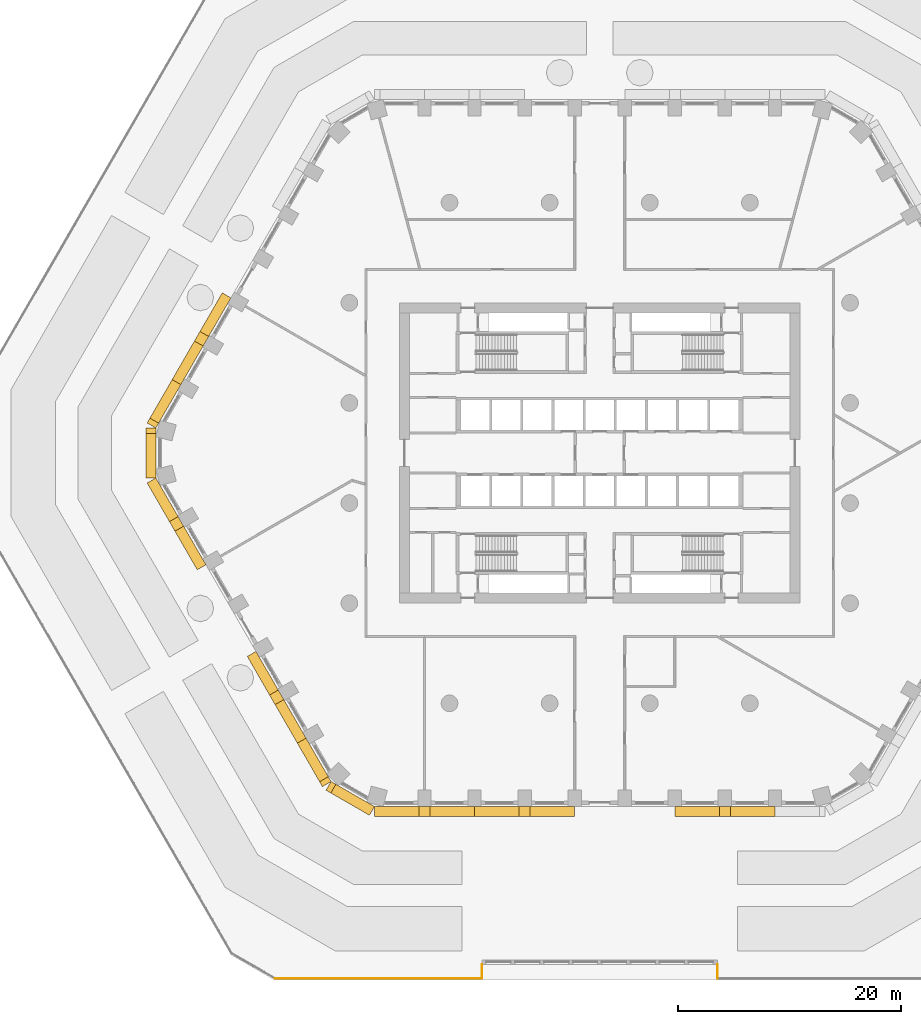
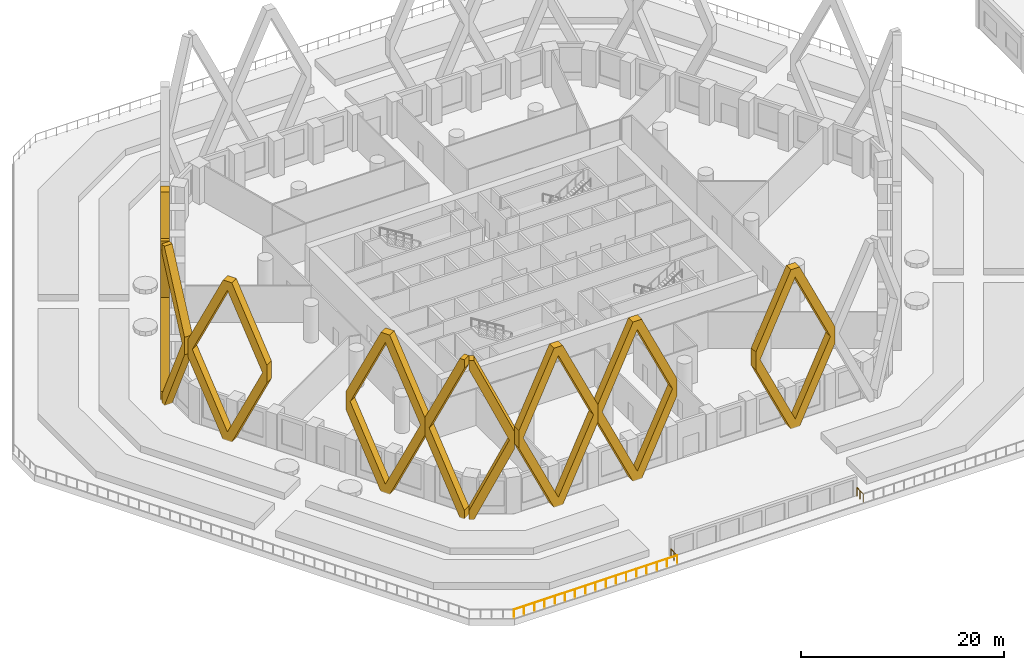
# One storey, part 18 of 27: 10 coverings, 3 railings.
"""IFC4 building model written with IfcOpenShell, lengths in metres."""

from ifc_helpers import new_model, si_unit, direction, frame, origin, origin_2d, place, context, subcontext, project, spatial, polyline, circle, outline, extrude, material, type_object, element, save


model = new_model("IFC4")

# Units and contexts
model_context = context("Model", 3, precision=1e-05, world=origin(), true_north=direction((0.0, 1.0)))
body_context = subcontext(model_context, "Body", "Model", "MODEL_VIEW")
ifc_project = project(units=[si_unit("LENGTHUNIT", "METRE"), si_unit("AREAUNIT", "SQUARE_METRE"), si_unit("VOLUMEUNIT", "CUBIC_METRE"), si_unit("PLANEANGLEUNIT", "RADIAN"), si_unit("MASSUNIT", "GRAM", prefix="KILO")], contexts=[model_context])

# Site, building, storey
site_placement = place(None, origin())
site = spatial("IfcSite", under=ifc_project, at=site_placement, CompositionType="ELEMENT")
building_placement = place(site_placement, origin())
building = spatial("IfcBuilding", under=site, at=building_placement, Name="Dhurran Vertical Campus", CompositionType="ELEMENT")
storey_placement = place(building_placement, frame((0.0, 0.0, 10.800048828125)))
storey = spatial("IfcBuildingStorey", under=building, at=storey_placement, Name="L02", CompositionType="ELEMENT", Elevation=10.800048828125)

# Coverings
ifc_material_1 = material(Name="Precast concrete C50/60", Category="concrete")
covering_type = type_object("IfcCoveringType", Name="Folded precast fin lattice diamond", PredefinedType="USERDEFINED", material=ifc_material_1)
for number, where, z_axis, x_axis, name in (
    (1, (-20.25, -31.77978515625, 0.0), (0.0, -1.0, 0.0), (1.0, 0.0, 0.0), "FN1 L02.001"),
    (2, (-11.25, -31.77978515625, 0.0), (0.0, -1.0, 0.0), (1.0, 0.0, 0.0), "FN1 L02.002"),
    (3, (6.75, -31.77978515625, 0.0), (0.0, -1.0, 0.0), (1.0, 0.0, 0.0), "FN1 L02.003"),
    (4, (-33.147216796875, 13.94140625, 0.0), (-0.866013897511, 0.50001992892, 0.0), (-0.50001992892, -0.866013897511, 0.0), "FN1 L02.020"),
):
    element("IfcCovering", number, at=place(storey_placement, frame(where, z_axis=z_axis, x_axis=x_axis)), inside=storey, type_object=covering_type, Name=name, ObjectType="FIN", PredefinedType="USERDEFINED", context=body_context, shape_type="SweptSolid", body=[
        extrude(outline(polyline([(9.0, 10.66015625), (9.0, 8.539794921875), (4.9970703125, 0.0), (4.0029296875, 0.0), (0.0, 8.539794921875), (0.0, 10.66015625), (4.0029296875, 19.199951171875), (4.9970703125, 19.199951171875), (9.0, 10.66015625)]), holes=[polyline([(8.5029296875, 9.60009765625), (4.5, 18.139892578125), (0.4970703125, 9.60009765625), (4.5, 1.060302734375), (8.5029296875, 9.60009765625)])]), origin(), (0.0, 0.0, 1.0), 0.89990234375),
    ])
covering_1_placement = place(storey_placement, frame((-37.647216796875, 6.147216796875, 0.0), z_axis=(-0.866013897511, 0.50001992892, 0.0), x_axis=(-0.50001992892, -0.866013897511, 0.0)))
element("IfcCovering", 5, at=covering_1_placement, inside=storey, type_object=covering_type, Name="FN1 L02.021", ObjectType="FIN", PredefinedType="USERDEFINED", context=body_context, shape_type="SweptSolid", body=[
    extrude(outline(polyline([(4.0029296875, 0.0), (0.0, 8.539794921875), (0.0, 10.66015625), (4.0029296875, 19.199951171875), (4.5, 19.199951171875), (4.5, 18.139892578125), (0.4970703125, 9.60009765625), (4.5, 1.060302734375), (4.5, 0.0), (4.0029296875, 0.0)])), origin(), (0.0, 0.0, 1.0), 0.89990234375),
])
covering_2_placement = place(storey_placement, frame((-39.897216796875, 2.25, 0.0), z_axis=(-1.0, 0.0, 0.0), x_axis=(0.0, -1.0, 0.0)))
element("IfcCovering", 6, at=covering_2_placement, inside=storey, type_object=covering_type, Name="FN1 L02.022", ObjectType="FIN", PredefinedType="USERDEFINED", context=body_context, shape_type="SweptSolid", body=[
    extrude(outline(polyline([(4.5, 8.539794921875), (0.4970703125, 0.0), (0.0, 0.0), (0.0, 1.060302734375), (4.0029296875, 9.60009765625), (0.0, 18.139892578125), (0.0, 19.199951171875), (0.4970703125, 19.199951171875), (4.5, 10.66015625), (4.5, 8.539794921875)])), origin(), (0.0, 0.0, 1.0), 0.89990234375),
])
for number, where, z_axis, x_axis, name in (
    (7, (-39.897216796875, -2.25, 0.0), (-0.866013897511, -0.50001992892, 0.0), (0.50001992892, -0.866013897511, 0.0), "FN1 L02.023"),
    (8, (-30.897216796875, -17.83837890625, 0.0), (-0.865896406789, -0.500223362819, 0.0), (0.500223362819, -0.865896406789, 0.0), "FN1 L02.024"),
):
    element("IfcCovering", number, at=place(storey_placement, frame(where, z_axis=z_axis, x_axis=x_axis)), inside=storey, type_object=covering_type, Name=name, ObjectType="FIN", PredefinedType="USERDEFINED", context=body_context, shape_type="SweptSolid", body=[
        extrude(outline(polyline([(9.0, 10.66015625), (9.0, 8.539794921875), (4.9970703125, 0.0), (4.0029296875, 0.0), (0.0, 8.539794921875), (0.0, 10.66015625), (4.0029296875, 19.199951171875), (4.9970703125, 19.199951171875), (9.0, 10.66015625)]), holes=[polyline([(8.5029296875, 9.60009765625), (4.5, 18.139892578125), (0.4970703125, 9.60009765625), (4.5, 1.060302734375), (8.5029296875, 9.60009765625)])]), origin(), (0.0, 0.0, 1.0), 0.89990234375),
    ])
covering_3_placement = place(storey_placement, frame((-26.397216796875, -25.6328125, 0.0), z_axis=(-0.866013897511, -0.50001992892, 0.0), x_axis=(0.50001992892, -0.866013897511, 0.0)))
element("IfcCovering", 9, at=covering_3_placement, inside=storey, type_object=covering_type, Name="FN1 L02.025", ObjectType="FIN", PredefinedType="USERDEFINED", context=body_context, shape_type="SweptSolid", body=[
    extrude(outline(polyline([(4.0029296875, 0.0), (0.0, 8.539794921875), (0.0, 10.66015625), (4.0029296875, 19.199951171875), (4.5, 19.199951171875), (4.5, 18.139892578125), (0.4970703125, 9.60009765625), (4.5, 1.060302734375), (4.5, 0.0), (4.0029296875, 0.0)])), origin(), (0.0, 0.0, 1.0), 0.89990234375),
])
covering_4_placement = place(storey_placement, frame((-24.147216796875, -29.52978515625, 0.0), z_axis=(-0.50001992892, -0.866013897511, 0.0), x_axis=(0.866013897511, -0.50001992892, 0.0)))
element("IfcCovering", 10, at=covering_4_placement, inside=storey, type_object=covering_type, Name="FN1 L02.026", ObjectType="FIN", PredefinedType="USERDEFINED", context=body_context, shape_type="SweptSolid", body=[
    extrude(outline(polyline([(4.5, 8.539794921875), (0.4970703125, 0.0), (0.0, 0.0), (0.0, 1.060302734375), (4.0029296875, 9.60009765625), (0.0, 18.139892578125), (0.0, 19.199951171875), (0.4970703125, 19.199951171875), (4.5, 10.66015625), (4.5, 8.539794921875)])), origin(), (0.0, 0.0, 1.0), 0.89990234375),
])

# Railings
ifc_material_2 = material(Name="Steel S355J2H", Category="steel")
railing_type = type_object("IfcRailingType", Name="st-guard 1100", PredefinedType="GUARDRAIL", material=ifc_material_2)
railing_placement = place(storey_placement, frame((-10.60009765625, -47.21826171875, 0.0)))
element("IfcRailing", 11, at=railing_placement, inside=storey, type_object=railing_type, Name="Raised garden guard 02", PredefinedType="GUARDRAIL", context=body_context, shape_type="SweptSolid", body=[
    extrude(circle(Radius=0.02392578125, at=origin_2d()), frame((0.0, 0.0, 1.076171875), z_axis=(-1.0, 0.0, 0.0), x_axis=(0.0, -1.0, 0.0)), (0.0, 0.0, 1.0), 18.609619140625),
    extrude(circle(Radius=0.02099609375, at=origin_2d()), origin(), (0.0, 0.0, 1.0), 1.052001953125),
    extrude(circle(Radius=0.02099609375, at=origin_2d()), frame((-1.1630859375, 0.0, 0.0)), (0.0, 0.0, 1.0), 1.052001953125),
    extrude(circle(Radius=0.02099609375, at=origin_2d()), frame((-2.326171875, 0.0, 0.0)), (0.0, 0.0, 1.0), 1.052001953125),
    extrude(circle(Radius=0.02099609375, at=origin_2d()), frame((-3.4892578125, 0.0, 0.0)), (0.0, 0.0, 1.0), 1.052001953125),
    extrude(circle(Radius=0.02099609375, at=origin_2d()), frame((-4.65234375, 0.0, 0.0)), (0.0, 0.0, 1.0), 1.052001953125),
    extrude(circle(Radius=0.02099609375, at=origin_2d()), frame((-5.8154296875, 0.0, 0.0)), (0.0, 0.0, 1.0), 1.052001953125),
    extrude(circle(Radius=0.02099609375, at=origin_2d()), frame((-6.978515625, 0.0, 0.0)), (0.0, 0.0, 1.0), 1.052001953125),
    extrude(circle(Radius=0.02099609375, at=origin_2d()), frame((-8.1416015625, 0.0, 0.0)), (0.0, 0.0, 1.0), 1.052001953125),
    extrude(circle(Radius=0.02099609375, at=origin_2d()), frame((-9.3046875, 0.0, 0.0)), (0.0, 0.0, 1.0), 1.052001953125),
    extrude(circle(Radius=0.02099609375, at=origin_2d()), frame((-10.468017578125, 0.0, 0.0)), (0.0, 0.0, 1.0), 1.052001953125),
    extrude(circle(Radius=0.02099609375, at=origin_2d()), frame((-11.631103515625, 0.0, 0.0)), (0.0, 0.0, 1.0), 1.052001953125),
    extrude(circle(Radius=0.02099609375, at=origin_2d()), frame((-12.794189453125, 0.0, 0.0)), (0.0, 0.0, 1.0), 1.052001953125),
    extrude(circle(Radius=0.02099609375, at=origin_2d()), frame((-13.957275390625, 0.0, 0.0)), (0.0, 0.0, 1.0), 1.052001953125),
    extrude(circle(Radius=0.02099609375, at=origin_2d()), frame((-15.120361328125, 0.0, 0.0)), (0.0, 0.0, 1.0), 1.052001953125),
    extrude(circle(Radius=0.02099609375, at=origin_2d()), frame((-16.283447265625, 0.0, 0.0)), (0.0, 0.0, 1.0), 1.052001953125),
    extrude(circle(Radius=0.02099609375, at=origin_2d()), frame((-17.446533203125, 0.0, 0.0)), (0.0, 0.0, 1.0), 1.052001953125),
    extrude(circle(Radius=0.02099609375, at=origin_2d()), frame((-18.609619140625, 0.0, 0.0)), (0.0, 0.0, 1.0), 1.052001953125),
])
for number, where, name in (
    (12, (-10.60009765625, -47.21826171875, 0.0), "Deck stair gate return guard W"),
    (13, (10.60009765625, -47.21826171875, 0.0), "Deck stair gate return guard E"),
):
    element("IfcRailing", number, at=place(storey_placement, frame(where)), inside=storey, type_object=railing_type, Name=name, PredefinedType="GUARDRAIL", context=body_context, shape_type="SweptSolid", body=[
        extrude(circle(Radius=0.02392578125, at=origin_2d()), frame((0.0, 0.0, 1.076171875), z_axis=(0.0, 1.0, 0.0), x_axis=(-1.0, 0.0, 0.0)), (0.0, 0.0, 1.0), 1.25),
        extrude(circle(Radius=0.02099609375, at=origin_2d()), origin(), (0.0, 0.0, 1.0), 1.052001953125),
        extrude(circle(Radius=0.02099609375, at=origin_2d()), frame((0.0, 0.625, 0.0)), (0.0, 0.0, 1.0), 1.052001953125),
        extrude(circle(Radius=0.02099609375, at=origin_2d()), frame((0.0, 1.25, 0.0)), (0.0, 0.0, 1.0), 1.052001953125),
    ])

save(model, "model.ifc")
